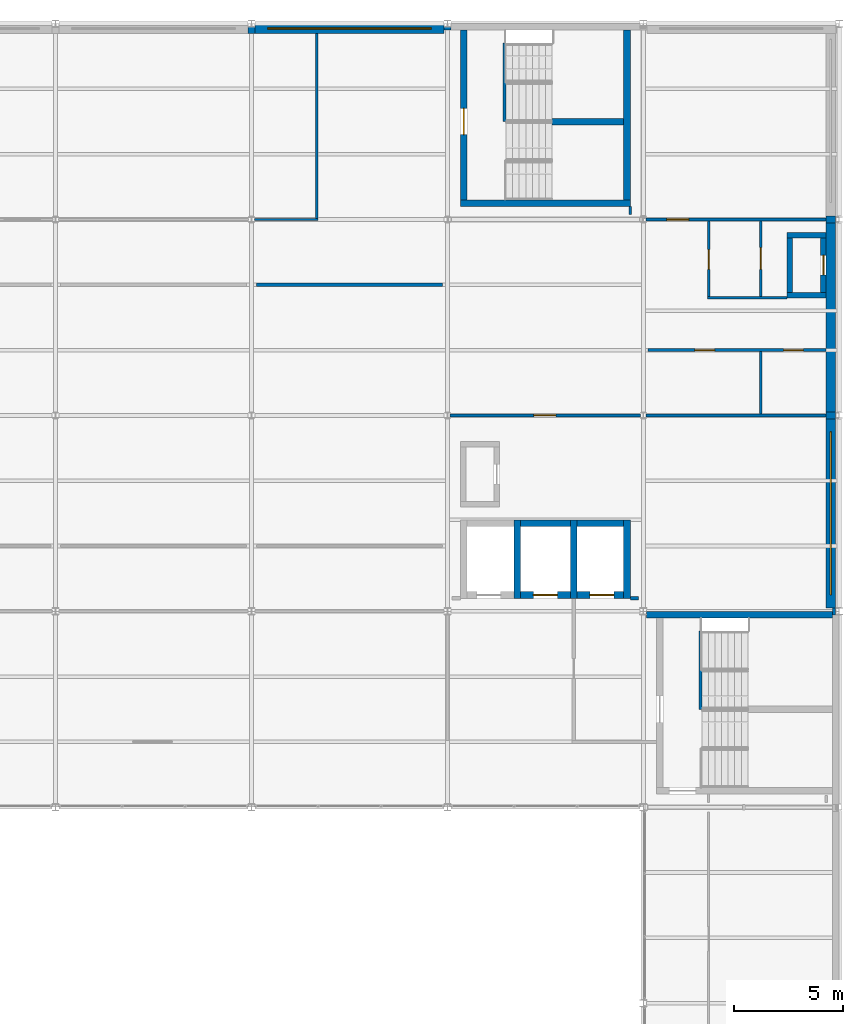
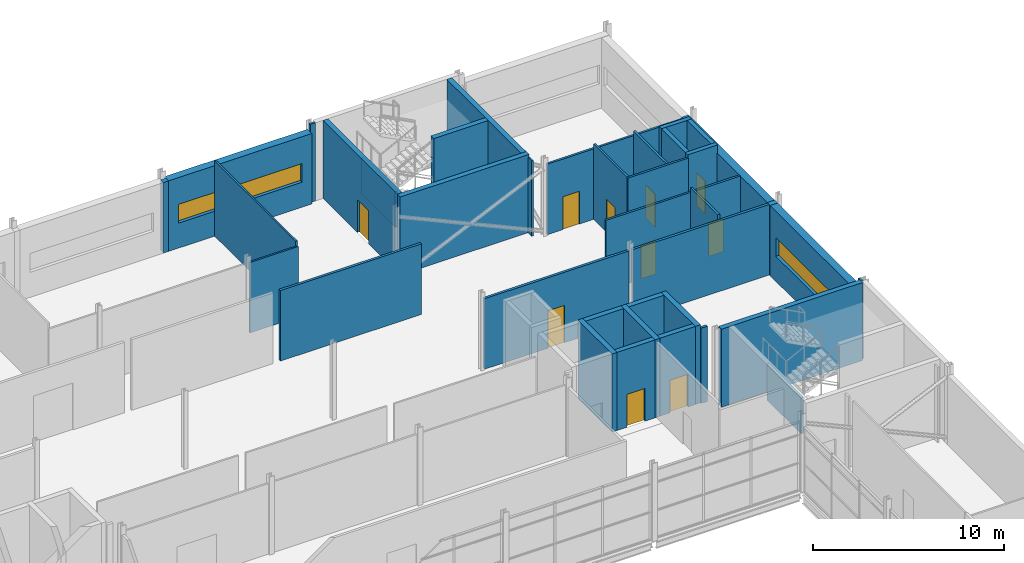
# One storey, part 52 of 61: 39 walls, 10 doors, 2 windows, 12 openings.
"""IFC4 building model written with IfcOpenShell, lengths in metres."""

from ifc_helpers import new_model, si_unit, direction, frame, frame_2d, origin, place, context, subcontext, project, spatial, rectangle, extrude, material, layer, layer_set, type_object, element, fill, save


model = new_model("IFC4")

# Units and contexts
model_context = context("Model", 3, precision=1e-05, world=origin(), true_north=direction((0.0, 1.0)))
body_context = subcontext(model_context, "Body", "Model", "MODEL_VIEW")
ifc_project = project(units=[si_unit("LENGTHUNIT", "METRE"), si_unit("AREAUNIT", "SQUARE_METRE"), si_unit("VOLUMEUNIT", "CUBIC_METRE"), si_unit("PLANEANGLEUNIT", "RADIAN"), si_unit("MASSUNIT", "GRAM", prefix="KILO")], contexts=[model_context])

# Site, building, storey
site_placement = place(None, origin())
site = spatial("IfcSite", under=ifc_project, at=site_placement, CompositionType="ELEMENT")
building_placement = place(site_placement, origin())
building = spatial("IfcBuilding", under=site, at=building_placement, Name="Shorebreak Coast Museum", CompositionType="ELEMENT")
storey_placement = place(building_placement, frame((0.0, 0.0, 26.0)))
storey = spatial("IfcBuildingStorey", under=building, at=storey_placement, Name="L04", CompositionType="ELEMENT", Elevation=26.0)

# Walls
ifc_material_1 = material(Name="Concrete N50 (50 MPa)", Category="concrete")
ifc_layer_1 = layer(ifc_material_1, 0.13134765625)
ifc_layer_set_1 = layer_set([ifc_layer_1], Name="Concrete N50 (50 MPa)")
wall_type_1 = type_object("IfcWallType", Name="Column closure panel 131", PredefinedType="SOLIDWALL", material=ifc_layer_set_1)
wall_1_placement = place(storey_placement, frame((116.765625, 89.83642578125, 0.0), z_axis=(0.0, 0.0, 1.0), x_axis=(0.0, 1.0, 0.0)))
element("IfcWall", 1, at=wall_1_placement, inside=storey, type_object=wall_type_1, Name="Column closure panel L04 E 14L", PredefinedType="SOLIDWALL", context=body_context, shape_type="SweptSolid", body=[
    extrude(rectangle(XDim=0.3271484375, YDim=0.13134765625, at=frame_2d((0.16357421875, 0.0))), origin(), (0.0, 0.0, 1.0), 5.0),
])
ifc_material_2 = material(Name="Concrete N50 (50 MPa)", Category="concrete")
ifc_layer_2 = layer(ifc_material_2, 0.136474609375)
ifc_layer_set_2 = layer_set([ifc_layer_2], Name="Concrete N50 (50 MPa)")
wall_type_2 = type_object("IfcWallType", Name="Column closure panel 136", PredefinedType="SOLIDWALL", material=ifc_layer_set_2)
wall_2_placement = place(storey_placement, frame((98.83349609375, 116.768310546875, 0.0), z_axis=(0.0, 0.0, 1.0), x_axis=(1.0, 0.0, 0.0)))
element("IfcWall", 2, at=wall_2_placement, inside=storey, type_object=wall_type_2, Name="Column closure panel L04 N 12P", PredefinedType="SOLIDWALL", context=body_context, shape_type="SweptSolid", body=[
    extrude(rectangle(XDim=0.322021484375, YDim=0.136474609375, at=frame_2d((0.1611328125, 0.0))), origin(), (0.0, 0.0, 1.0), 5.0),
])
ifc_material_3 = material(Name="Concrete N50 (50 MPa)", Category="concrete")
ifc_layer_3 = layer(ifc_material_3, 0.286376953125)
ifc_layer_set_3 = layer_set([ifc_layer_3], Name="Concrete N50 (50 MPa)")
wall_type_3 = type_object("IfcWallType", Name="Column closure panel 286", PredefinedType="SOLIDWALL", material=ifc_layer_set_3)
wall_3_placement = place(storey_placement, frame((89.839111328125, 116.693115234375, 0.0), z_axis=(0.0, 0.0, 1.0), x_axis=(1.0, 0.0, 0.0)))
element("IfcWall", 3, at=wall_3_placement, inside=storey, type_object=wall_type_3, Name="Column closure panel L04 N 11P", PredefinedType="SOLIDWALL", context=body_context, shape_type="SweptSolid", body=[
    extrude(rectangle(XDim=0.32177734375, YDim=0.286376953125, at=frame_2d((0.160888671875, 0.0))), origin(), (0.0, 0.0, 1.0), 4.517822265625),
])
ifc_material_4 = material(Name="Concrete N50 (50 MPa)", Category="concrete")
ifc_layer_4 = layer(ifc_material_4, 0.449951171875)
ifc_layer_set_4 = layer_set([ifc_layer_4], Name="Concrete N50 (50 MPa)")
wall_type_4 = type_object("IfcWallType", Name="Column closure panel 450", PredefinedType="SOLIDWALL", material=ifc_layer_set_4)
for number, where, z_axis, x_axis, name in (
    (4, (116.6064453125, 98.839111328125, 0.0), (0.0, 0.0, 1.0), (0.0, 1.0, 0.0), "Column closure panel L04 E 14M"),
    (5, (116.6064453125, 107.839111328125, 0.0), (0.0, 0.0, 1.0), (0.0, 1.0, 0.0), "Column closure panel L04 E 14N"),
):
    element("IfcWall", number, at=place(storey_placement, frame(where, z_axis=z_axis, x_axis=x_axis)), inside=storey, type_object=wall_type_4, Name=name, PredefinedType="SOLIDWALL", context=body_context, shape_type="SweptSolid", body=[
        extrude(rectangle(XDim=0.32177734375, YDim=0.449951171875, at=frame_2d((0.160888671875, 0.0))), origin(), (0.0, 0.0, 1.0), 4.497802734375),
    ])

# Wall, opening, window
ifc_material_5 = material(Name="Concrete N50 (50 MPa)", Category="concrete")
ifc_layer_5 = layer(ifc_material_5, 0.449951171875)
ifc_layer_set_5 = layer_set([ifc_layer_5], Name="Concrete N50 (50 MPa)")
wall_type_5 = type_object("IfcWallType", Name="Deep-set precast panel 450", PredefinedType="SOLIDWALL", material=ifc_layer_set_5)
wall_4_placement = place(storey_placement, frame((116.6064453125, 90.16357421875, 0.0), z_axis=(0.0, 0.0, 1.0), x_axis=(0.0, 1.0, 0.0)))
wall_4 = element("IfcWall", 6, at=wall_4_placement, inside=storey, type_object=wall_type_5, Name="External wall L04 E 14L", PredefinedType="SOLIDWALL", context=body_context, shape_type="SweptSolid", body=[
    extrude(rectangle(XDim=8.675537109375, YDim=0.449951171875, at=frame_2d((4.337890625, 0.0))), origin(), (0.0, 0.0, 1.0), 4.497802734375),
])
opening_1_placement = place(wall_4_placement, frame((0.58642578125, 0.0, 1.60009765625)))
opening_1 = element("IfcOpeningElement", 7, at=opening_1_placement, cuts=wall_4, Name="Opening WN4001", PredefinedType="OPENING", context=body_context, shape_type="SweptSolid", body=[
    extrude(rectangle(XDim=7.5, YDim=1.199951171875, at=frame_2d((3.75, 0.60009765625))), frame((0.0, 0.23486328125, 0.0), z_axis=(0.0, -1.0, 0.0), x_axis=(1.0, 0.0, 0.0)), (0.0, 0.0, 1.0), 0.469970703125),
])
ifc_material_6 = material(Name="Aluminium", Category="aluminium")
window_type = type_object("IfcWindowType", Name="Ribbon window 7500 x 1200", PartitioningType="SINGLE_PANEL", PredefinedType="WINDOW", material=ifc_material_6)
window_1_placement = place(opening_1_placement, origin())
window_1 = element("IfcWindow", 8, at=window_1_placement, inside=storey, type_object=window_type, Name="Window WN4001", OverallHeight=1.199951171875, OverallWidth=7.5, PartitioningType="SINGLE_PANEL", PredefinedType="WINDOW", context=body_context, shape_type="SweptSolid", body=[
    extrude(rectangle(XDim=7.5, YDim=1.199951171875, at=frame_2d((3.75, 0.60009765625))), frame((0.0, 0.030029296875, 0.0), z_axis=(0.0, -1.0, 0.0), x_axis=(1.0, 0.0, 0.0)), (0.0, 0.0, 1.0), 0.06005859375),
])
fill(opening_1, window_1)

# Wall
wall_5_placement = place(storey_placement, frame((116.6064453125, 99.160888671875, 0.0), z_axis=(0.0, 0.0, 1.0), x_axis=(0.0, 1.0, 0.0)))
element("IfcWall", 9, at=wall_5_placement, inside=storey, type_object=wall_type_5, Name="External wall L04 E 14M", PredefinedType="SOLIDWALL", context=body_context, shape_type="SweptSolid", body=[
    extrude(rectangle(XDim=8.67822265625, YDim=0.449951171875, at=frame_2d((4.339111328125, 0.0))), origin(), (0.0, 0.0, 1.0), 4.497802734375),
])

# Wall, opening, window
wall_6_placement = place(storey_placement, frame((90.160888671875, 116.77490234375, 0.0), z_axis=(0.0, 0.0, 1.0), x_axis=(1.0, 0.0, 0.0)))
wall_6 = element("IfcWall", 10, at=wall_6_placement, inside=storey, type_object=wall_type_5, Name="External wall L04 N 11P", PredefinedType="SOLIDWALL", context=body_context, shape_type="SweptSolid", body=[
    extrude(rectangle(XDim=8.672607421875, YDim=0.449951171875, at=frame_2d((4.33642578125, 0.0))), origin(), (0.0, 0.0, 1.0), 4.517822265625),
])
opening_2_placement = place(wall_6_placement, frame((0.589111328125, 0.0, 1.60009765625)))
opening_2 = element("IfcOpeningElement", 11, at=opening_2_placement, cuts=wall_6, Name="Opening WN4006", PredefinedType="OPENING", context=body_context, shape_type="SweptSolid", body=[
    extrude(rectangle(XDim=7.5, YDim=1.199951171875, at=frame_2d((3.75, 0.60009765625))), frame((0.0, 0.23486328125, 0.0), z_axis=(0.0, -1.0, 0.0), x_axis=(1.0, 0.0, 0.0)), (0.0, 0.0, 1.0), 0.469970703125),
])
window_2_placement = place(opening_2_placement, origin())
window_2 = element("IfcWindow", 12, at=window_2_placement, inside=storey, type_object=window_type, Name="Window WN4006", OverallHeight=1.199951171875, OverallWidth=7.5, PartitioningType="SINGLE_PANEL", PredefinedType="WINDOW", context=body_context, shape_type="SweptSolid", body=[
    extrude(rectangle(XDim=7.5, YDim=1.199951171875, at=frame_2d((3.75, 0.60009765625))), frame((0.0, 0.030029296875, 0.0), z_axis=(0.0, -1.0, 0.0), x_axis=(1.0, 0.0, 0.0)), (0.0, 0.0, 1.0), 0.06005859375),
])
fill(opening_2, window_2)

# Wall
ifc_material_7 = material(Name="Plasterboard on steel stud", Category="steel")
ifc_layer_6 = layer(ifc_material_7, 0.14990234375)
ifc_layer_set_6 = layer_set([ifc_layer_6], Name="Plasterboard on steel stud")
wall_type_6 = type_object("IfcWallType", Name="Fire partition 150", PredefinedType="PARTITIONING", material=ifc_layer_set_6)
wall_7_placement = place(storey_placement, frame((107.39990234375, 90.60009765625, 0.0), z_axis=(0.0, 0.0, 1.0), x_axis=(1.0, 0.0, 0.0)))
element("IfcWall", 13, at=wall_7_placement, inside=storey, type_object=wall_type_6, Name="Partition L04-013", PredefinedType="PARTITIONING", context=body_context, shape_type="SweptSolid", body=[
    extrude(rectangle(XDim=0.380126953125, YDim=0.14990234375, at=frame_2d((0.18994140625, 0.0))), origin(), (0.0, 0.0, 1.0), 4.824951171875),
])

# Wall, opening, door
wall_8_placement = place(storey_placement, frame((99.1279296875, 99.0, 0.0), z_axis=(0.0, 0.0, 1.0), x_axis=(1.0, 0.0, 0.0)))
wall_8 = element("IfcWall", 14, at=wall_8_placement, inside=storey, type_object=wall_type_6, Name="Partition L04-019", PredefinedType="PARTITIONING", context=body_context, shape_type="SweptSolid", body=[
    extrude(rectangle(XDim=8.744140625, YDim=0.14990234375, at=frame_2d((4.3720703125, 0.0))), origin(), (0.0, 0.0, 1.0), 4.517822265625),
])
opening_3_placement = place(wall_8_placement, frame((3.85009765625, 0.0, 0.0)))
opening_3 = element("IfcOpeningElement", 15, at=opening_3_placement, cuts=wall_8, Name="Opening D4010", PredefinedType="OPENING", context=body_context, shape_type="SweptSolid", body=[
    extrude(rectangle(XDim=1.0, YDim=2.39990234375, at=frame_2d((0.5, 1.199951171875))), frame((0.0, 0.0849609375, 0.0), z_axis=(0.0, -1.0, 0.0), x_axis=(1.0, 0.0, 0.0)), (0.0, 0.0, 1.0), 0.169921875),
])
ifc_material_8 = material(Name="Steel", Category="steel")
door_type_1 = type_object("IfcDoorType", Name="Fire door 1000x2400 60", OperationType="SINGLE_SWING_LEFT", PredefinedType="DOOR", material=ifc_material_8)
door_1_placement = place(opening_3_placement, origin())
door_1 = element("IfcDoor", 16, at=door_1_placement, inside=storey, type_object=door_type_1, Name="Door D4010 Lift Services Room E", OperationType="SINGLE_SWING_RIGHT", OverallHeight=2.39990234375, OverallWidth=1.0, PredefinedType="DOOR", context=body_context, shape_type="SweptSolid", body=[
    extrude(rectangle(XDim=1.0, YDim=2.39990234375, at=frame_2d((0.5, 1.199951171875))), frame((0.0, 0.02490234375, 0.0), z_axis=(0.0, -1.0, 0.0), x_axis=(1.0, 0.0, 0.0)), (0.0, 0.0, 1.0), 0.050048828125),
])
fill(opening_3, door_1)

# Walls
wall_9_placement = place(storey_placement, frame((108.1279296875, 99.0, 0.0), z_axis=(0.0, 0.0, 1.0), x_axis=(1.0, 0.0, 0.0)))
element("IfcWall", 17, at=wall_9_placement, inside=storey, type_object=wall_type_6, Name="Partition L04-020", PredefinedType="PARTITIONING", context=body_context, shape_type="SweptSolid", body=[
    extrude(rectangle(XDim=8.25341796875, YDim=0.14990234375, at=frame_2d((4.126708984375, 0.0))), origin(), (0.0, 0.0, 1.0), 4.517822265625),
])
wall_10_placement = place(storey_placement, frame((90.219970703125, 105.0, 0.0), z_axis=(0.0, 0.0, 1.0), x_axis=(1.0, 0.0, 0.0)))
element("IfcWall", 18, at=wall_10_placement, inside=storey, type_object=wall_type_6, Name="Partition L04-027", PredefinedType="PARTITIONING", context=body_context, shape_type="SweptSolid", body=[
    extrude(rectangle(XDim=8.56005859375, YDim=0.14990234375, at=frame_2d((4.280029296875, 0.0))), origin(), (0.0, 0.0, 1.0), 4.52099609375),
])
ifc_material_9 = material(Name="Plasterboard on steel stud", Category="steel")
ifc_layer_7 = layer(ifc_material_9, 0.10009765625)
ifc_layer_set_7 = layer_set([ifc_layer_7], Name="Plasterboard on steel stud")
wall_type_7 = type_object("IfcWallType", Name="Partition 100", PredefinedType="PARTITIONING", material=ifc_layer_set_7)
wall_11_placement = place(storey_placement, frame((90.1279296875, 108.0, 0.0), z_axis=(0.0, 0.0, 1.0), x_axis=(1.0, 0.0, 0.0)))
element("IfcWall", 19, at=wall_11_placement, inside=storey, type_object=wall_type_7, Name="Partition L04-031", PredefinedType="PARTITIONING", context=body_context, shape_type="SweptSolid", body=[
    extrude(rectangle(XDim=2.922119140625, YDim=0.10009765625, at=frame_2d((1.4609375, 0.0))), origin(), (0.0, 0.0, 1.0), 4.517822265625),
])
wall_12_placement = place(storey_placement, frame((93.0, 108.050048828125, 0.0), z_axis=(0.0, 0.0, 1.0), x_axis=(0.0, 1.0, 0.0)))
element("IfcWall", 20, at=wall_12_placement, inside=storey, type_object=wall_type_7, Name="Partition L04-047", PredefinedType="PARTITIONING", context=body_context, shape_type="SweptSolid", body=[
    extrude(rectangle(XDim=8.5, YDim=0.10009765625, at=frame_2d((4.25, 0.0))), origin(), (0.0, 0.0, 1.0), 4.824951171875),
])
wall_13_placement = place(storey_placement, frame((107.39990234375, 108.219970703125, 0.0), z_axis=(0.0, 0.0, 1.0), x_axis=(0.0, 1.0, 0.0)))
element("IfcWall", 21, at=wall_13_placement, inside=storey, type_object=wall_type_7, Name="Partition L04-051", PredefinedType="PARTITIONING", context=body_context, shape_type="SweptSolid", body=[
    extrude(rectangle(XDim=0.380126953125, YDim=0.10009765625, at=frame_2d((0.18994140625, 0.0))), origin(), (0.0, 0.0, 1.0), 4.824951171875),
])

# Wall, openings, doors
ifc_material_10 = material(Name="Plasterboard on steel stud", Category="steel")
ifc_layer_8 = layer(ifc_material_10, 0.125)
ifc_layer_set_8 = layer_set([ifc_layer_8], Name="Plasterboard on steel stud")
wall_type_8 = type_object("IfcWallType", Name="Partition 125", PredefinedType="PARTITIONING", material=ifc_layer_set_8)
wall_14_placement = place(storey_placement, frame((108.219970703125, 102.0, 0.0), z_axis=(0.0, 0.0, 1.0), x_axis=(1.0, 0.0, 0.0)))
wall_14 = element("IfcWall", 22, at=wall_14_placement, inside=storey, type_object=wall_type_8, Name="Partition L04-022", PredefinedType="PARTITIONING", context=body_context, shape_type="SweptSolid", body=[
    extrude(rectangle(XDim=8.161376953125, YDim=0.125, at=frame_2d((4.08056640625, 0.0))), origin(), (0.0, 0.0, 1.0), 4.52099609375),
])
opening_4_placement = place(wall_14_placement, frame((6.22998046875, 0.0, 0.0)))
opening_4 = element("IfcOpeningElement", 23, at=opening_4_placement, cuts=wall_14, Name="Opening D4017", PredefinedType="OPENING", context=body_context, shape_type="SweptSolid", body=[
    extrude(rectangle(XDim=0.89990234375, YDim=2.10009765625, at=frame_2d((0.449951171875, 1.050048828125))), frame((0.0, 0.072509765625, 0.0), z_axis=(0.0, -1.0, 0.0), x_axis=(1.0, 0.0, 0.0)), (0.0, 0.0, 1.0), 0.14501953125),
])
opening_5_placement = place(wall_14_placement, frame((2.14990234375, 0.0, 0.0)))
opening_5 = element("IfcOpeningElement", 24, at=opening_5_placement, cuts=wall_14, Name="Opening D4018", PredefinedType="OPENING", context=body_context, shape_type="SweptSolid", body=[
    extrude(rectangle(XDim=0.89990234375, YDim=2.10009765625, at=frame_2d((0.449951171875, 1.050048828125))), frame((0.0, 0.072509765625, 0.0), z_axis=(0.0, -1.0, 0.0), x_axis=(1.0, 0.0, 0.0)), (0.0, 0.0, 1.0), 0.14501953125),
])
ifc_material_11 = material(Name="Timber", Category="wood")
door_type_2 = type_object("IfcDoorType", Name="Interior door 900x2100", OperationType="SINGLE_SWING_LEFT", PredefinedType="DOOR", material=ifc_material_11)
door_2_placement = place(opening_4_placement, origin())
door_2 = element("IfcDoor", 25, at=door_2_placement, inside=storey, type_object=door_type_2, Name="Door D4017 Accessible WC N2", OperationType="SINGLE_SWING_LEFT", OverallHeight=2.10009765625, OverallWidth=0.89990234375, PredefinedType="DOOR", context=body_context, shape_type="SweptSolid", body=[
    extrude(rectangle(XDim=0.89990234375, YDim=2.10009765625, at=frame_2d((0.449951171875, 1.050048828125))), frame((0.0, 0.02490234375, 0.0), z_axis=(0.0, -1.0, 0.0), x_axis=(1.0, 0.0, 0.0)), (0.0, 0.0, 1.0), 0.050048828125),
])
fill(opening_4, door_2)
door_3_placement = place(opening_5_placement, origin())
door_3 = element("IfcDoor", 26, at=door_3_placement, inside=storey, type_object=door_type_2, Name="Door D4018 Male WC N2", OperationType="SINGLE_SWING_RIGHT", OverallHeight=2.10009765625, OverallWidth=0.89990234375, PredefinedType="DOOR", context=body_context, shape_type="SweptSolid", body=[
    extrude(rectangle(XDim=0.89990234375, YDim=2.10009765625, at=frame_2d((0.449951171875, 1.050048828125))), frame((0.0, 0.02490234375, 0.0), z_axis=(0.0, -1.0, 0.0), x_axis=(1.0, 0.0, 0.0)), (0.0, 0.0, 1.0), 0.050048828125),
])
fill(opening_5, door_3)

# Wall
wall_15_placement = place(storey_placement, frame((110.9375, 104.39990234375, 0.0), z_axis=(0.0, 0.0, 1.0), x_axis=(1.0, 0.0, 0.0)))
element("IfcWall", 27, at=wall_15_placement, inside=storey, type_object=wall_type_8, Name="Partition L04-024", PredefinedType="PARTITIONING", context=body_context, shape_type="SweptSolid", body=[
    extrude(rectangle(XDim=3.66259765625, YDim=0.125, at=frame_2d((1.831298828125, 0.0))), origin(), (0.0, 0.0, 1.0), 4.824951171875),
])

# Wall, opening, door
wall_16_placement = place(storey_placement, frame((108.1279296875, 108.0, 0.0), z_axis=(0.0, 0.0, 1.0), x_axis=(1.0, 0.0, 0.0)))
wall_16 = element("IfcWall", 28, at=wall_16_placement, inside=storey, type_object=wall_type_8, Name="Partition L04-032", PredefinedType="PARTITIONING", context=body_context, shape_type="SweptSolid", body=[
    extrude(rectangle(XDim=8.25341796875, YDim=0.125, at=frame_2d((4.126708984375, 0.0))), origin(), (0.0, 0.0, 1.0), 4.517822265625),
])
opening_6_placement = place(wall_16_placement, frame((0.949951171875, 0.0, 0.0)))
opening_6 = element("IfcOpeningElement", 29, at=opening_6_placement, cuts=wall_16, Name="Opening D4020", PredefinedType="OPENING", context=body_context, shape_type="SweptSolid", body=[
    extrude(rectangle(XDim=1.0, YDim=2.10009765625, at=frame_2d((0.5, 1.050048828125))), frame((0.0, 0.072509765625, 0.0), z_axis=(0.0, -1.0, 0.0), x_axis=(1.0, 0.0, 0.0)), (0.0, 0.0, 1.0), 0.14501953125),
])
ifc_material_12 = material(Name="Timber", Category="wood")
door_type_3 = type_object("IfcDoorType", Name="Interior door 1000x2100", OperationType="SINGLE_SWING_LEFT", PredefinedType="DOOR", material=ifc_material_12)
door_4_placement = place(opening_6_placement, origin())
door_4 = element("IfcDoor", 30, at=door_4_placement, inside=storey, type_object=door_type_3, Name="Door D4020 Services Store 4.02", OperationType="SINGLE_SWING_RIGHT", OverallHeight=2.10009765625, OverallWidth=1.0, PredefinedType="DOOR", context=body_context, shape_type="SweptSolid", body=[
    extrude(rectangle(XDim=1.0, YDim=2.10009765625, at=frame_2d((0.5, 1.050048828125))), frame((0.0, 0.02490234375, 0.0), z_axis=(0.0, -1.0, 0.0), x_axis=(1.0, 0.0, 0.0)), (0.0, 0.0, 1.0), 0.050048828125),
])
fill(opening_6, door_4)

wall_17_placement = place(storey_placement, frame((111.0, 104.46240234375, 0.0), z_axis=(0.0, 0.0, 1.0), x_axis=(0.0, 1.0, 0.0)))
wall_17 = element("IfcWall", 31, at=wall_17_placement, inside=storey, type_object=wall_type_8, Name="Partition L04-056", PredefinedType="PARTITIONING", context=body_context, shape_type="SweptSolid", body=[
    extrude(rectangle(XDim=3.47509765625, YDim=0.125, at=frame_2d((1.737548828125, 0.0))), origin(), (0.0, 0.0, 1.0), 4.824951171875),
])
opening_7_placement = place(wall_17_placement, frame((1.25, 0.0, 0.0)))
opening_7 = element("IfcOpeningElement", 32, at=opening_7_placement, cuts=wall_17, Name="Opening D4016", PredefinedType="OPENING", context=body_context, shape_type="SweptSolid", body=[
    extrude(rectangle(XDim=0.89990234375, YDim=2.10009765625, at=frame_2d((0.449951171875, 1.050048828125))), frame((0.0, 0.072509765625, 0.0), z_axis=(0.0, -1.0, 0.0), x_axis=(1.0, 0.0, 0.0)), (0.0, 0.0, 1.0), 0.14501953125),
])
door_5_placement = place(opening_7_placement, origin())
door_5 = element("IfcDoor", 33, at=door_5_placement, inside=storey, type_object=door_type_2, Name="Door D4016 Female WC N2", OperationType="SINGLE_SWING_LEFT", OverallHeight=2.10009765625, OverallWidth=0.89990234375, PredefinedType="DOOR", context=body_context, shape_type="SweptSolid", body=[
    extrude(rectangle(XDim=0.89990234375, YDim=2.10009765625, at=frame_2d((0.449951171875, 1.050048828125))), frame((0.0, 0.02490234375, 0.0), z_axis=(0.0, -1.0, 0.0), x_axis=(1.0, 0.0, 0.0)), (0.0, 0.0, 1.0), 0.050048828125),
])
fill(opening_7, door_5)

# Wall
wall_18_placement = place(storey_placement, frame((113.39990234375, 99.074951171875, 0.0), z_axis=(0.0, 0.0, 1.0), x_axis=(0.0, 1.0, 0.0)))
element("IfcWall", 34, at=wall_18_placement, inside=storey, type_object=wall_type_8, Name="Partition L04-057", PredefinedType="PARTITIONING", context=body_context, shape_type="SweptSolid", body=[
    extrude(rectangle(XDim=2.862548828125, YDim=0.125, at=frame_2d((1.43115234375, 0.0))), origin(), (0.0, 0.0, 1.0), 4.824951171875),
])

# Wall, opening, door
wall_19_placement = place(storey_placement, frame((113.39990234375, 104.46240234375, 0.0), z_axis=(0.0, 0.0, 1.0), x_axis=(0.0, 1.0, 0.0)))
wall_19 = element("IfcWall", 35, at=wall_19_placement, inside=storey, type_object=wall_type_8, Name="Partition L04-058", PredefinedType="PARTITIONING", context=body_context, shape_type="SweptSolid", body=[
    extrude(rectangle(XDim=3.47509765625, YDim=0.125, at=frame_2d((1.737548828125, 0.0))), origin(), (0.0, 0.0, 1.0), 4.824951171875),
])
opening_8_placement = place(wall_19_placement, frame((1.25, 0.0, 0.0)))
opening_8 = element("IfcOpeningElement", 36, at=opening_8_placement, cuts=wall_19, Name="Opening D4015", PredefinedType="OPENING", context=body_context, shape_type="SweptSolid", body=[
    extrude(rectangle(XDim=1.0, YDim=2.10009765625, at=frame_2d((0.5, 1.050048828125))), frame((0.0, 0.072509765625, 0.0), z_axis=(0.0, -1.0, 0.0), x_axis=(1.0, 0.0, 0.0)), (0.0, 0.0, 1.0), 0.14501953125),
])
door_6_placement = place(opening_8_placement, origin())
door_6 = element("IfcDoor", 37, at=door_6_placement, inside=storey, type_object=door_type_3, Name="Door D4015 Cleaner Store N2", OperationType="SINGLE_SWING_LEFT", OverallHeight=2.10009765625, OverallWidth=1.0, PredefinedType="DOOR", context=body_context, shape_type="SweptSolid", body=[
    extrude(rectangle(XDim=1.0, YDim=2.10009765625, at=frame_2d((0.5, 1.050048828125))), frame((0.0, 0.02490234375, 0.0), z_axis=(0.0, -1.0, 0.0), x_axis=(1.0, 0.0, 0.0)), (0.0, 0.0, 1.0), 0.050048828125),
])
fill(opening_8, door_6)

# Walls
ifc_material_13 = material(Name="Concrete N50 (50 MPa)", Category="concrete")
ifc_layer_9 = layer(ifc_material_13, 0.25)
ifc_layer_set_9 = layer_set([ifc_layer_9], Name="Concrete N50 (50 MPa)")
wall_type_9 = type_object("IfcWallType", Name="RC riser wall 250", PredefinedType="STANDARD", material=ifc_layer_set_9)
for number, where, z_axis, x_axis, name in (
    (38, (114.60009765625, 104.52490234375, 0.0), (0.0, 0.0, 1.0), (1.0, 0.0, 0.0), "Riser wall R-WC-N2 L04 S"),
    (39, (114.60009765625, 107.27490234375, 0.0), (0.0, 0.0, 1.0), (1.0, 0.0, 0.0), "Riser wall R-WC-N2 L04 N"),
):
    element("IfcWall", number, at=place(storey_placement, frame(where, z_axis=z_axis, x_axis=x_axis)), inside=storey, type_object=wall_type_9, Name=name, PredefinedType="STANDARD", context=body_context, shape_type="SweptSolid", body=[
        extrude(rectangle(XDim=1.7998046875, YDim=0.25, at=frame_2d((0.89990234375, 0.0))), origin(), (0.0, 0.0, 1.0), 5.0),
    ])
wall_20_placement = place(storey_placement, frame((114.72509765625, 104.64990234375, 0.0), z_axis=(0.0, 0.0, 1.0), x_axis=(0.0, 1.0, 0.0)))
element("IfcWall", 40, at=wall_20_placement, inside=storey, type_object=wall_type_9, Name="Riser wall R-WC-N2 L04 W", PredefinedType="STANDARD", context=body_context, shape_type="SweptSolid", body=[
    extrude(rectangle(XDim=2.5, YDim=0.25, at=frame_2d((1.25, 0.0))), origin(), (0.0, 0.0, 1.0), 5.0),
])

# Wall, opening, door
wall_21_placement = place(storey_placement, frame((116.27490234375, 104.64990234375, 0.0), z_axis=(0.0, 0.0, 1.0), x_axis=(0.0, 1.0, 0.0)))
wall_21 = element("IfcWall", 41, at=wall_21_placement, inside=storey, type_object=wall_type_9, Name="Riser wall R-WC-N2 L04 E", PredefinedType="STANDARD", context=body_context, shape_type="SweptSolid", body=[
    extrude(rectangle(XDim=2.5, YDim=0.25, at=frame_2d((1.25, 0.0))), origin(), (0.0, 0.0, 1.0), 5.0),
])
opening_9_placement = place(wall_21_placement, frame((0.800048828125, 0.0, 0.0)))
opening_9 = element("IfcOpeningElement", 42, at=opening_9_placement, cuts=wall_21, Name="Opening D4602", PredefinedType="OPENING", context=body_context, shape_type="SweptSolid", body=[
    extrude(rectangle(XDim=0.89990234375, YDim=2.10009765625, at=frame_2d((0.449951171875, 1.050048828125))), frame((0.0, 0.135009765625, 0.0), z_axis=(0.0, -1.0, 0.0), x_axis=(1.0, 0.0, 0.0)), (0.0, 0.0, 1.0), 0.27001953125),
])
ifc_material_14 = material(Name="Steel Grade 300", Category="steel")
door_type_4 = type_object("IfcDoorType", Name="Riser door 900x2100", OperationType="SINGLE_SWING_LEFT", PredefinedType="DOOR", material=ifc_material_14)
door_7_placement = place(opening_9_placement, origin())
door_7 = element("IfcDoor", 43, at=door_7_placement, inside=storey, type_object=door_type_4, Name="Riser door R-WC-N2 L04", OperationType="SINGLE_SWING_LEFT", OverallHeight=2.10009765625, OverallWidth=0.89990234375, PredefinedType="DOOR", context=body_context, shape_type="SweptSolid", body=[
    extrude(rectangle(XDim=0.89990234375, YDim=2.10009765625, at=frame_2d((0.449951171875, 1.050048828125))), frame((0.0, 0.02490234375, 0.0), z_axis=(0.0, -1.0, 0.0), x_axis=(1.0, 0.0, 0.0)), (0.0, 0.0, 1.0), 0.050048828125),
])
fill(opening_9, door_7)

# Walls
ifc_material_15 = material(Name="Concrete N50 (50 MPa)", Category="concrete")
ifc_layer_10 = layer(ifc_material_15, 0.300048828125)
ifc_layer_set_10 = layer_set([ifc_layer_10], Name="Concrete N50 (50 MPa)")
wall_type_10 = type_object("IfcWallType", Name="RC wall 300", PredefinedType="SHEAR", material=ifc_layer_set_10)
wall_22_placement = place(storey_placement, frame((108.155517578125, 89.85009765625, 0.0), z_axis=(0.0, 0.0, 1.0), x_axis=(1.0, 0.0, 0.0)))
element("IfcWall", 44, at=wall_22_placement, inside=storey, type_object=wall_type_10, Name="Stair core wall ST04 L04 N", PredefinedType="SHEAR", context=body_context, shape_type="SweptSolid", body=[
    extrude(rectangle(XDim=8.54443359375, YDim=0.300048828125, at=frame_2d((4.272216796875, 0.0))), origin(), (0.0, 0.0, 1.0), 5.0),
])
wall_23_placement = place(storey_placement, frame((99.60009765625, 108.75, 0.0), z_axis=(0.0, 0.0, 1.0), x_axis=(1.0, 0.0, 0.0)))
element("IfcWall", 45, at=wall_23_placement, inside=storey, type_object=wall_type_10, Name="Stair core wall ST10 L04 S", PredefinedType="SHEAR", context=body_context, shape_type="SweptSolid", body=[
    extrude(rectangle(XDim=7.7998046875, YDim=0.300048828125, at=frame_2d((3.89990234375, 0.0))), origin(), (0.0, 0.0, 1.0), 5.0),
])

# Wall, opening, door
wall_24_placement = place(storey_placement, frame((99.75, 108.89990234375, 0.0), z_axis=(0.0, 0.0, 1.0), x_axis=(0.0, 1.0, 0.0)))
wall_24 = element("IfcWall", 46, at=wall_24_placement, inside=storey, type_object=wall_type_10, Name="Stair core wall ST10 L04 W", PredefinedType="SHEAR", context=body_context, shape_type="SweptSolid", body=[
    extrude(rectangle(XDim=7.800048828125, YDim=0.300048828125, at=frame_2d((3.89990234375, 0.0))), origin(), (0.0, 0.0, 1.0), 5.0),
])
opening_10_placement = place(wall_24_placement, frame((3.0, 0.0, 0.0)))
opening_10 = element("IfcOpeningElement", 47, at=opening_10_placement, cuts=wall_24, Name="Opening D4810", PredefinedType="OPENING", context=body_context, shape_type="SweptSolid", body=[
    extrude(rectangle(XDim=1.199951171875, YDim=2.10009765625, at=frame_2d((0.60009765625, 1.050048828125))), frame((0.0, 0.159912109375, 0.0), z_axis=(0.0, -1.0, 0.0), x_axis=(1.0, 0.0, 0.0)), (0.0, 0.0, 1.0), 0.320068359375),
])
ifc_material_16 = material(Name="Steel Grade 300", Category="steel")
door_type_5 = type_object("IfcDoorType", Name="Fire door 1200x2100", OperationType="SINGLE_SWING_LEFT", PredefinedType="DOOR", material=ifc_material_16)
door_8_placement = place(opening_10_placement, origin())
door_8 = element("IfcDoor", 48, at=door_8_placement, inside=storey, type_object=door_type_5, Name="Stair door ST10 L04", OperationType="SINGLE_SWING_LEFT", OverallHeight=2.10009765625, OverallWidth=1.199951171875, PredefinedType="DOOR", context=body_context, shape_type="SweptSolid", body=[
    extrude(rectangle(XDim=1.199951171875, YDim=2.10009765625, at=frame_2d((0.60009765625, 1.050048828125))), frame((0.0, 0.02490234375, 0.0), z_axis=(0.0, -1.0, 0.0), x_axis=(1.0, 0.0, 0.0)), (0.0, 0.0, 1.0), 0.050048828125),
])
fill(opening_10, door_8)

# Walls
wall_25_placement = place(storey_placement, frame((107.25, 108.89990234375, 0.0), z_axis=(0.0, 0.0, 1.0), x_axis=(0.0, 1.0, 0.0)))
element("IfcWall", 49, at=wall_25_placement, inside=storey, type_object=wall_type_10, Name="Stair core wall ST10 L04 E", PredefinedType="SHEAR", context=body_context, shape_type="SweptSolid", body=[
    extrude(rectangle(XDim=7.800048828125, YDim=0.300048828125, at=frame_2d((3.89990234375, 0.0))), origin(), (0.0, 0.0, 1.0), 5.0),
])
wall_26_placement = place(storey_placement, frame((103.800048828125, 112.5, 0.0), z_axis=(0.0, 0.0, 1.0), x_axis=(1.0, 0.0, 0.0)))
element("IfcWall", 50, at=wall_26_placement, inside=storey, type_object=wall_type_10, Name="Stair spine wall ST10 L04", PredefinedType="SHEAR", context=body_context, shape_type="SweptSolid", body=[
    extrude(rectangle(XDim=3.300048828125, YDim=0.300048828125, at=frame_2d((1.64990234375, 0.0))), origin(), (0.0, 0.0, 1.0), 5.0),
])
for number, where, z_axis, x_axis, name in (
    (51, (102.199951171875, 90.60009765625, 0.0), (0.0, 0.0, 1.0), (0.0, 1.0, 0.0), "Lift shaft wall LBE L04 2"),
    (52, (104.800048828125, 90.60009765625, 0.0), (0.0, 0.0, 1.0), (0.0, 1.0, 0.0), "Lift shaft wall LBE L04 3"),
    (53, (107.25, 90.60009765625, 0.0), (0.0, 0.0, 1.0), (0.0, 1.0, 0.0), "Lift shaft wall LBE L04 4"),
):
    element("IfcWall", number, at=place(storey_placement, frame(where, z_axis=z_axis, x_axis=x_axis)), inside=storey, type_object=wall_type_10, Name=name, PredefinedType="SHEAR", context=body_context, shape_type="SweptSolid", body=[
        extrude(rectangle(XDim=3.599853515625, YDim=0.300048828125, at=frame_2d((1.7998046875, 0.0))), origin(), (0.0, 0.0, 1.0), 5.0),
    ])

# Wall, opening, door
wall_27_placement = place(storey_placement, frame((102.35009765625, 90.75, 0.0), z_axis=(0.0, 0.0, 1.0), x_axis=(1.0, 0.0, 0.0)))
wall_27 = element("IfcWall", 54, at=wall_27_placement, inside=storey, type_object=wall_type_10, Name="Lift shaft wall P4 L04 F", PredefinedType="SHEAR", context=body_context, shape_type="SweptSolid", body=[
    extrude(rectangle(XDim=2.2998046875, YDim=0.300048828125, at=frame_2d((1.14990234375, 0.0))), origin(), (0.0, 0.0, 1.0), 5.0),
])
opening_11_placement = place(wall_27_placement, frame((0.60009765625, 0.0, 0.0)))
opening_11 = element("IfcOpeningElement", 55, at=opening_11_placement, cuts=wall_27, Name="Opening LD4-P4", PredefinedType="OPENING", context=body_context, shape_type="SweptSolid", body=[
    extrude(rectangle(XDim=1.10009765625, YDim=2.10009765625, at=frame_2d((0.550048828125, 1.050048828125))), frame((0.0, 0.159912109375, 0.0), z_axis=(0.0, -1.0, 0.0), x_axis=(1.0, 0.0, 0.0)), (0.0, 0.0, 1.0), 0.320068359375),
])
ifc_material_17 = material(Name="Steel Grade 300", Category="steel")
door_type_6 = type_object("IfcDoorType", Name="Landing door 1100x2100", OperationType="DOUBLE_DOOR_SLIDING", PredefinedType="DOOR", material=ifc_material_17)
door_9_placement = place(opening_11_placement, origin())
door_9 = element("IfcDoor", 56, at=door_9_placement, inside=storey, type_object=door_type_6, Name="Landing door P4 L04", OperationType="DOUBLE_DOOR_SLIDING", OverallHeight=2.10009765625, OverallWidth=1.10009765625, PredefinedType="DOOR", context=body_context, shape_type="SweptSolid", body=[
    extrude(rectangle(XDim=1.10009765625, YDim=2.10009765625, at=frame_2d((0.550048828125, 1.050048828125))), frame((0.0, 0.02490234375, 0.0), z_axis=(0.0, -1.0, 0.0), x_axis=(1.0, 0.0, 0.0)), (0.0, 0.0, 1.0), 0.050048828125),
])
fill(opening_11, door_9)

# Wall
wall_28_placement = place(storey_placement, frame((102.35009765625, 94.050048828125, 0.0), z_axis=(0.0, 0.0, 1.0), x_axis=(1.0, 0.0, 0.0)))
element("IfcWall", 57, at=wall_28_placement, inside=storey, type_object=wall_type_10, Name="Lift shaft wall P4 L04 B", PredefinedType="SHEAR", context=body_context, shape_type="SweptSolid", body=[
    extrude(rectangle(XDim=2.2998046875, YDim=0.300048828125, at=frame_2d((1.14990234375, 0.0))), origin(), (0.0, 0.0, 1.0), 5.0),
])

# Wall, opening, door
wall_29_placement = place(storey_placement, frame((104.949951171875, 90.75, 0.0), z_axis=(0.0, 0.0, 1.0), x_axis=(1.0, 0.0, 0.0)))
wall_29 = element("IfcWall", 58, at=wall_29_placement, inside=storey, type_object=wall_type_10, Name="Lift shaft wall FL2 L04 F", PredefinedType="SHEAR", context=body_context, shape_type="SweptSolid", body=[
    extrude(rectangle(XDim=2.150146484375, YDim=0.300048828125, at=frame_2d((1.0751953125, 0.0))), origin(), (0.0, 0.0, 1.0), 5.0),
])
opening_12_placement = place(wall_29_placement, frame((0.60009765625, 0.0, 0.0)))
opening_12 = element("IfcOpeningElement", 59, at=opening_12_placement, cuts=wall_29, Name="Opening LD4-FL2", PredefinedType="OPENING", context=body_context, shape_type="SweptSolid", body=[
    extrude(rectangle(XDim=1.10009765625, YDim=2.10009765625, at=frame_2d((0.550048828125, 1.050048828125))), frame((0.0, 0.159912109375, 0.0), z_axis=(0.0, -1.0, 0.0), x_axis=(1.0, 0.0, 0.0)), (0.0, 0.0, 1.0), 0.320068359375),
])
door_10_placement = place(opening_12_placement, origin())
door_10 = element("IfcDoor", 60, at=door_10_placement, inside=storey, type_object=door_type_6, Name="Landing door FL2 L04", OperationType="DOUBLE_DOOR_SLIDING", OverallHeight=2.10009765625, OverallWidth=1.10009765625, PredefinedType="DOOR", context=body_context, shape_type="SweptSolid", body=[
    extrude(rectangle(XDim=1.10009765625, YDim=2.10009765625, at=frame_2d((0.550048828125, 1.050048828125))), frame((0.0, 0.02490234375, 0.0), z_axis=(0.0, -1.0, 0.0), x_axis=(1.0, 0.0, 0.0)), (0.0, 0.0, 1.0), 0.050048828125),
])
fill(opening_12, door_10)

# Walls
wall_30_placement = place(storey_placement, frame((104.949951171875, 94.050048828125, 0.0), z_axis=(0.0, 0.0, 1.0), x_axis=(1.0, 0.0, 0.0)))
element("IfcWall", 61, at=wall_30_placement, inside=storey, type_object=wall_type_10, Name="Lift shaft wall FL2 L04 B", PredefinedType="SHEAR", context=body_context, shape_type="SweptSolid", body=[
    extrude(rectangle(XDim=2.150146484375, YDim=0.300048828125, at=frame_2d((1.0751953125, 0.0))), origin(), (0.0, 0.0, 1.0), 5.0),
])
ifc_material_18 = material(Name="Concrete N50 (50 MPa)", Category="concrete")
ifc_layer_11 = layer(ifc_material_18, 0.14990234375)
ifc_layer_set_11 = layer_set([ifc_layer_11], Name="Concrete N50 (50 MPa)")
wall_type_11 = type_object("IfcWallType", Name="Understair wall 150", PredefinedType="STANDARD", material=ifc_layer_set_11)
for number, where, z_axis, x_axis, name in (
    (62, (110.625, 85.5, 0.0), (0.0, 0.0, 1.0), (0.0, 1.0, 0.0), "Understair wall ST04 L04 floor"),
    (63, (101.625, 112.5, 0.0), (0.0, 0.0, 1.0), (0.0, 1.0, 0.0), "Understair wall ST10 L04 floor"),
):
    element("IfcWall", number, at=place(storey_placement, frame(where, z_axis=z_axis, x_axis=x_axis)), inside=storey, type_object=wall_type_11, Name=name, PredefinedType="STANDARD", context=body_context, shape_type="SweptSolid", body=[
        extrude(rectangle(XDim=3.60009765625, YDim=0.14990234375, at=frame_2d((1.800048828125, 0.0))), origin(), (0.0, 0.0, 1.0), 2.300048828125),
    ])

save(model, "model.ifc")
